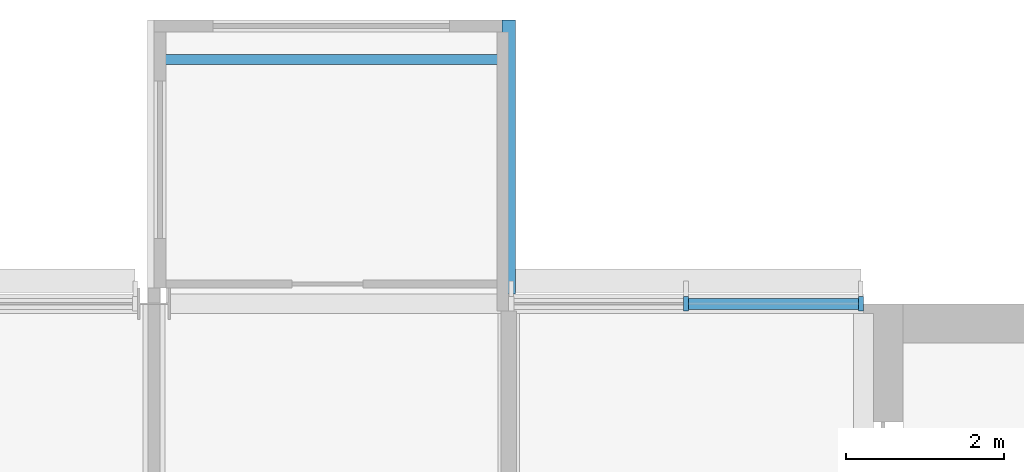
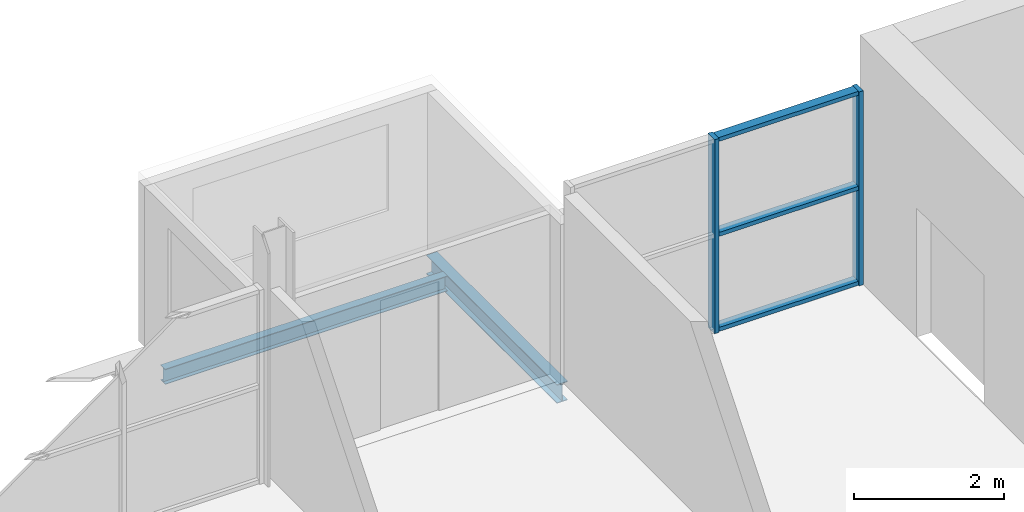
# One storey, part 3 of 11: 5 members, 2 beams, 1 element without a shape of its own.
"""IFC4 building model written with IfcOpenShell, lengths in metres."""

from ifc_helpers import new_model, si_unit, direction, frame, origin, origin_2d, place, context, subcontext, project, spatial, rectangle, i_section, extrude, material, layer, layer_set, material_profile, profile_set, type_object, element, aggregate, save


model = new_model("IFC4")

# Units and contexts
model_context = context("Model", 3, precision=1e-05, world=origin(), true_north=direction((0.0, 1.0)))
body_context = subcontext(model_context, "Body", "Model", "MODEL_VIEW")
ifc_project = project(units=[si_unit("LENGTHUNIT", "METRE"), si_unit("AREAUNIT", "SQUARE_METRE"), si_unit("VOLUMEUNIT", "CUBIC_METRE"), si_unit("PLANEANGLEUNIT", "RADIAN"), si_unit("MASSUNIT", "GRAM", prefix="KILO")], contexts=[model_context])

# Site, building, storey
site_placement = place(None, origin())
site = spatial("IfcSite", under=ifc_project, at=site_placement, CompositionType="ELEMENT")
building_placement = place(site_placement, origin())
building = spatial("IfcBuilding", under=site, at=building_placement, Name="Corbel Yard City Hall", CompositionType="ELEMENT")
storey_placement = place(building_placement, frame((0.0, 0.0, 39.199951171875)))
storey = spatial("IfcBuildingStorey", under=building, at=storey_placement, Name="L09", CompositionType="ELEMENT", Elevation=39.199951171875)

# Curtain wall, members
ifc_material_1 = material(Name="Aluminium extrusion", Category="aluminium")
ifc_layer = layer(ifc_material_1, 0.179931640625)
ifc_layer_set = layer_set([ifc_layer], Name="Aluminium extrusion")
curtain_wall_type = type_object("IfcCurtainWallType", Name="CW6", PredefinedType="USERDEFINED", material=ifc_layer_set)
curtain_wall_placement = place(storey_placement, origin())
curtain_wall = element("IfcCurtainWall", 1, at=curtain_wall_placement, inside=storey, type_object=curtain_wall_type, Name="Curtain wall CW6 L09", ObjectType="CURTAIN WALL", PredefinedType="USERDEFINED")
ifc_material_profile_1 = material_profile(ifc_material_1, rectangle(XDim=0.179931640625, YDim=0.06494140625, at=origin_2d()), Name="180x65")
ifc_profile_set_1 = profile_set([ifc_material_profile_1], Name="Aluminium extrusion")
member_type_1 = type_object("IfcMemberType", Name="ML6", PredefinedType="MULLION", material=ifc_profile_set_1)
member_1_placement = place(storey_placement, frame((42.75, 117.0, 0.0), z_axis=(0.0, 0.0, 1.0), x_axis=(0.0, 1.0, 0.0)))
member_1 = element("IfcMember", 2, at=member_1_placement, type_object=member_type_1, Name="CW6 mullion 2", PredefinedType="MULLION", context=body_context, shape_type="SweptSolid", body=[
    extrude(rectangle(XDim=0.179931640625, YDim=0.06494140625, at=origin_2d()), origin(), (0.0, 0.0, 1.0), 3.150146484375),
])
member_2_placement = place(storey_placement, frame((44.967529296875, 117.0, 0.0), z_axis=(0.0, 0.0, 1.0), x_axis=(0.0, 1.0, 0.0)))
member_2 = element("IfcMember", 3, at=member_2_placement, type_object=member_type_1, Name="CW6 mullion 3", PredefinedType="MULLION", context=body_context, shape_type="SweptSolid", body=[
    extrude(rectangle(XDim=0.179931640625, YDim=0.06494140625, at=origin_2d()), origin(), (0.0, 0.0, 1.0), 3.150146484375),
])

# Beams
ifc_material_2 = material(Name="Steel Grade 300 (300 MPa yield)", Category="steel")
ifc_material_profile_2 = material_profile(ifc_material_2, i_section(OverallWidth=0.166015625, OverallDepth=0.306884765625, WebThickness=0.006591796875, FlangeThickness=0.01171875, at=origin_2d()), Name="310UB46.2")
ifc_profile_set_2 = profile_set([ifc_material_profile_2], Name="Steel Grade 300 (300 MPa yield)")
beam_type_1 = type_object("IfcBeamType", Name="Pod stub beam 310UB46.2", PredefinedType="BEAM", material=ifc_profile_set_2)
beam_1_placement = place(storey_placement, frame((40.5, 117.125, -0.303466796875), z_axis=(0.0, 1.0, 0.0), x_axis=(-1.0, 0.0, 0.0)))
element("IfcBeam", 4, at=beam_1_placement, inside=storey, type_object=beam_type_1, Name="Pod stub 310UB46.2 CB1 L09", PredefinedType="BEAM", context=body_context, shape_type="SweptSolid", body=[
    extrude(i_section(OverallWidth=0.166015625, OverallDepth=0.306884765625, WebThickness=0.006591796875, FlangeThickness=0.01171875, at=origin_2d()), origin(), (0.0, 0.0, 1.0), 3.47509765625),
])
ifc_material_profile_3 = material_profile(ifc_material_2, i_section(OverallWidth=0.1240234375, OverallDepth=0.248046875, WebThickness=0.0048828125, FlangeThickness=0.008056640625, at=origin_2d()), Name="250UB25.7")
ifc_profile_set_3 = profile_set([ifc_material_profile_3], Name="Steel Grade 300 (300 MPa yield)")
beam_type_2 = type_object("IfcBeamType", Name="Pod tip beam", PredefinedType="BEAM", material=ifc_profile_set_3)
beam_2_placement = place(storey_placement, frame((36.0830078125, 120.10009765625, -0.27392578125), z_axis=(1.0, 0.0, 0.0), x_axis=(0.0, 1.0, 0.0)))
element("IfcBeam", 5, at=beam_2_placement, inside=storey, type_object=beam_type_2, Name="Pod tip beam", PredefinedType="BEAM", context=body_context, shape_type="SweptSolid", body=[
    extrude(i_section(OverallWidth=0.1240234375, OverallDepth=0.248046875, WebThickness=0.0048828125, FlangeThickness=0.008056640625, at=origin_2d()), origin(), (0.0, 0.0, 1.0), 4.333984375),
])

# Member
ifc_material_profile_4 = material_profile(ifc_material_1, rectangle(XDim=0.139892578125, YDim=0.06494140625, at=origin_2d()), Name="140x65")
ifc_profile_set_4 = profile_set([ifc_material_profile_4], Name="Aluminium extrusion")
member_type_2 = type_object("IfcMemberType", Name="TR6", PredefinedType="USERDEFINED", material=ifc_profile_set_4)
member_3_placement = place(storey_placement, frame((42.782470703125, 117.0, 0.032470703125), z_axis=(1.0, 0.0, 0.0), x_axis=(0.0, 1.0, 0.0)))
member_3 = element("IfcMember", 6, at=member_3_placement, type_object=member_type_2, Name="CW6 transom 2.1", ObjectType="TRANSOM", PredefinedType="USERDEFINED", context=body_context, shape_type="SweptSolid", body=[
    extrude(rectangle(XDim=0.139892578125, YDim=0.06494140625, at=origin_2d()), origin(), (0.0, 0.0, 1.0), 2.152587890625),
])

member_4_placement = place(storey_placement, frame((42.782470703125, 117.0, 1.574951171875), z_axis=(1.0, 0.0, 0.0), x_axis=(0.0, 1.0, 0.0)))
member_4 = element("IfcMember", 7, at=member_4_placement, type_object=member_type_2, Name="CW6 transom 2.2", ObjectType="TRANSOM", PredefinedType="USERDEFINED", context=body_context, shape_type="SweptSolid", body=[
    extrude(rectangle(XDim=0.139892578125, YDim=0.06494140625, at=origin_2d()), origin(), (0.0, 0.0, 1.0), 2.152587890625),
])

member_5_placement = place(storey_placement, frame((42.782470703125, 117.0, 3.117431640625), z_axis=(1.0, 0.0, 0.0), x_axis=(0.0, 1.0, 0.0)))
member_5 = element("IfcMember", 8, at=member_5_placement, type_object=member_type_2, Name="CW6 transom 2.3", ObjectType="TRANSOM", PredefinedType="USERDEFINED", context=body_context, shape_type="SweptSolid", body=[
    extrude(rectangle(XDim=0.139892578125, YDim=0.06494140625, at=origin_2d()), origin(), (0.0, 0.0, 1.0), 2.152587890625),
])

aggregate(curtain_wall, [member_1, member_2, member_3, member_4, member_5])

save(model, "model.ifc")
